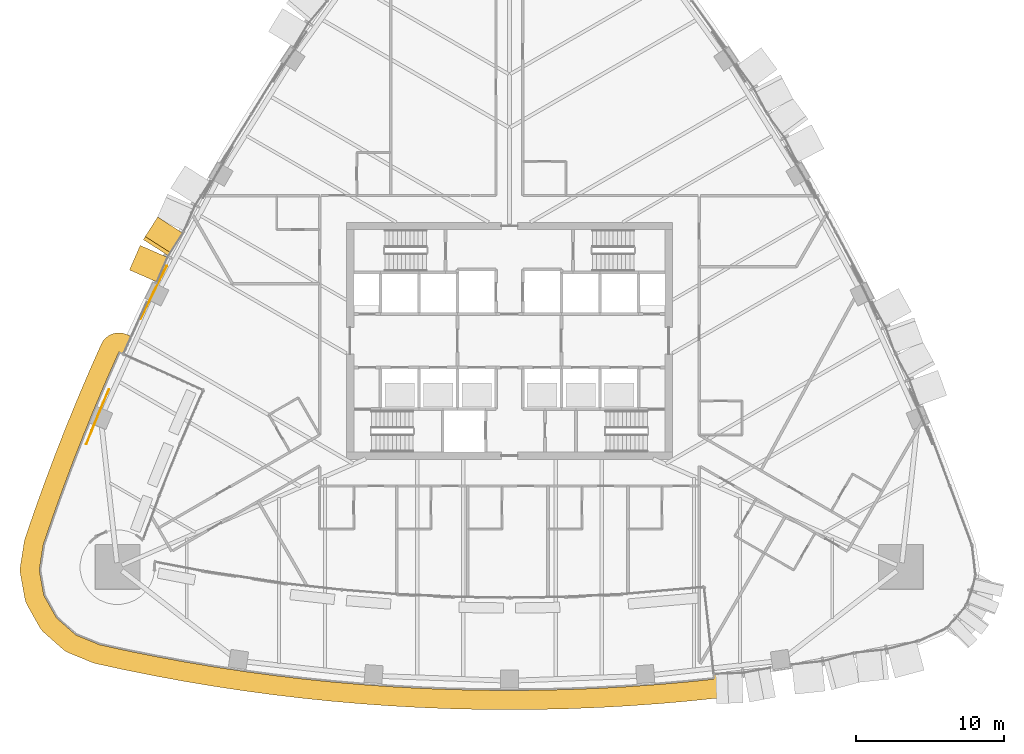
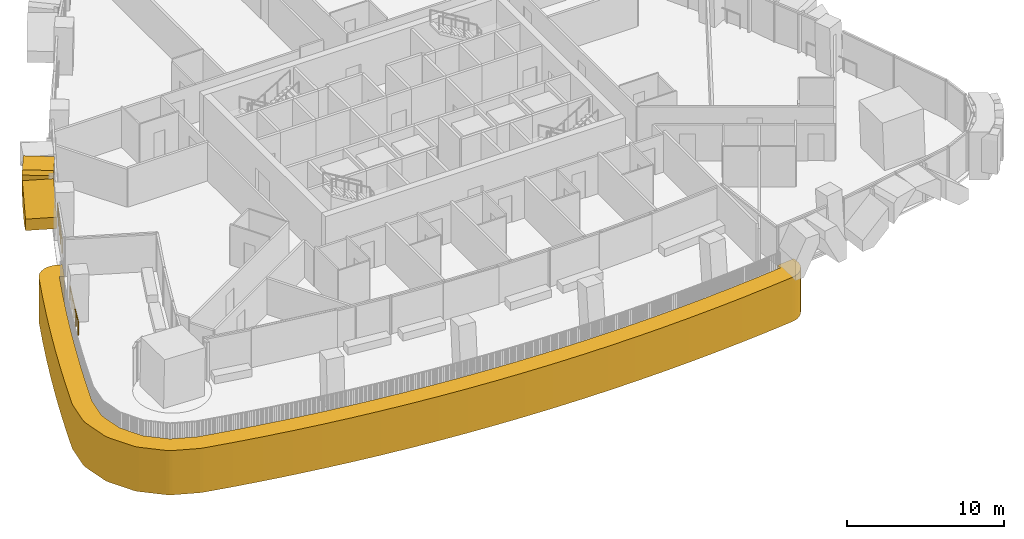
# One storey, part 18 of 22: 3 coverings, 2 railings.
"""IFC4 building model written with IfcOpenShell, lengths in metres."""

import ifcopenshell
import ifcopenshell.guid

model = None  # the IFC model being written
_history = None  # IfcOwnerHistory: only IFC2X3 demands one
_inside = {}  # id of a spatial element -> (the spatial element, [elements in it])
_under = {}  # id of a project, library or spatial element -> (it, [spatial elements below it])
_declared = {}  # id of a project -> (the project, [libraries it declares])
_typed = {}  # id of a type object -> (the type object, [elements of that type])
_made_of = {}  # id of a material, layer set ... -> (it, [elements and type objects made of it])


def new_model(schema):
    """Start an empty IFC model of exactly this schema.

    Asked for "IFC4X3", IfcOpenShell would pick the latest addendum, in which some entities
    have other attributes; the version numbers below select the first issue.
    IFC2X3 requires an IfcOwnerHistory on every rooted entity: one is made here for all.
    """
    global model, _history
    if schema == "IFC4X3":
        model = ifcopenshell.file(schema_version=(4, 3, 0, 0))
    else:
        model = ifcopenshell.file(schema=schema)
    _inside.clear()
    _under.clear()
    _declared.clear()
    _typed.clear()
    _made_of.clear()
    _history = None
    if model.schema == "IFC2X3":
        org = make("IfcOrganization", Name="unknown")
        user = make(
            "IfcPersonAndOrganization",
            ThePerson=make("IfcPerson", FamilyName="unknown"),
            TheOrganization=org,
        )
        app = make(
            "IfcApplication",
            ApplicationDeveloper=org,
            Version="unknown",
            ApplicationFullName="unknown",
            ApplicationIdentifier="unknown",
        )
        _history = make(
            "IfcOwnerHistory",
            OwningUser=user,
            OwningApplication=app,
            ChangeAction="ADDED",
            CreationDate=0,
        )
    return model


def make(cls, **values):
    """One entity of the class cls with the attributes given. An attribute that is None is left unset."""
    return model.create_entity(
        cls, **{name: value for name, value in values.items() if value is not None}
    )


def rooted(cls, **values):
    """An entity with a GlobalId (a new one), such as an element, a storey or a relation."""
    return make(cls, GlobalId=ifcopenshell.guid.new(), OwnerHistory=_history, **values)


def si_unit(unit_type, name, prefix=None):
    """IfcSIUnit, for example si_unit("LENGTHUNIT", "METRE", prefix="MILLI")."""
    return make("IfcSIUnit", UnitType=unit_type, Prefix=prefix, Name=name)


def assignment(units):
    """IfcUnitAssignment: the units of a project."""
    return None if units is None else make("IfcUnitAssignment", Units=units)


def point(xyz):
    """IfcCartesianPoint."""
    return None if xyz is None else make("IfcCartesianPoint", Coordinates=xyz)


def direction(xyz):
    """IfcDirection."""
    return None if xyz is None else make("IfcDirection", DirectionRatios=xyz)


def frame(location, z_axis=None, x_axis=None):
    """IfcAxis2Placement3D, a coordinate frame: its origin and axes. An axis left out is left unset."""
    return make(
        "IfcAxis2Placement3D",
        Location=point(location),
        Axis=direction(z_axis),
        RefDirection=direction(x_axis),
    )


def frame_2d(location, x_axis=None):
    """IfcAxis2Placement2D, a coordinate frame in the plane: its origin and x axis."""
    return make(
        "IfcAxis2Placement2D", Location=point(location), RefDirection=direction(x_axis)
    )


def origin():
    """The frame at (0, 0, 0) with its axes left unset."""
    return frame((0.0, 0.0, 0.0))


def origin_2d():
    """The frame at (0, 0) in the plane with its x axis left unset."""
    return frame_2d((0.0, 0.0))


def place(relative_to, where):
    """IfcLocalPlacement: puts the frame where relative to a parent placement (None: the world)."""
    return make(
        "IfcLocalPlacement", PlacementRelTo=relative_to, RelativePlacement=where
    )


def context(
    kind, dimensions, precision=None, world=None, true_north=None, identifier=None
):
    """IfcGeometricRepresentationContext, for example the 3D "Model" context."""
    return make(
        "IfcGeometricRepresentationContext",
        ContextIdentifier=identifier,
        ContextType=kind,
        CoordinateSpaceDimension=dimensions,
        Precision=precision,
        WorldCoordinateSystem=world,
        TrueNorth=true_north,
    )


def subcontext(parent, identifier, kind, view, scale=None):
    """IfcGeometricRepresentationSubContext, for example "Body" below "Model"."""
    return make(
        "IfcGeometricRepresentationSubContext",
        ContextIdentifier=identifier,
        ContextType=kind,
        ParentContext=parent,
        TargetScale=scale,
        TargetView=view,
    )


def project(units=None, contexts=None):
    """IfcProject with its units and contexts."""
    return rooted(
        "IfcProject",
        Name="project",
        RepresentationContexts=contexts,
        UnitsInContext=assignment(units),
    )


def spatial(cls, under=None, at=None, **own):
    """A site, building, storey or space (cls), placed at a placement, below another one or the project."""
    s = rooted(cls, ObjectPlacement=at, **own)
    if under is not None:
        _under.setdefault(under.id(), (under, []))[1].append(s)
    return s


def polyline(points):
    """IfcPolyline through the points."""
    return make("IfcPolyline", Points=[point(p) for p in points])


def profile(cls, at=None, kind="AREA", **sizes):
    """A parametric profile (cls). Its sizes go by their IFC names, for example OverallWidth=200.0."""
    return make(cls, ProfileType=kind, Position=at, **sizes)


def circle(**sizes):
    """IfcCircleProfileDef."""
    return profile("IfcCircleProfileDef", **sizes)


def outline(outer, holes=None, kind="AREA"):
    """IfcArbitraryClosedProfileDef: a profile drawn as a closed curve; with holes, ...WithVoids."""
    if holes is None:
        return make("IfcArbitraryClosedProfileDef", ProfileType=kind, OuterCurve=outer)
    return make(
        "IfcArbitraryProfileDefWithVoids",
        ProfileType=kind,
        OuterCurve=outer,
        InnerCurves=holes,
    )


def extrude(swept, where, along, depth):
    """IfcExtrudedAreaSolid: the profile swept, set in the frame where, extruded along a direction by depth."""
    return make(
        "IfcExtrudedAreaSolid",
        SweptArea=swept,
        Position=where,
        ExtrudedDirection=direction(along),
        Depth=depth,
    )


def shape(context_of_items, identifier, shape_type, items):
    """IfcShapeRepresentation: the items that make up one representation, for example the "Body"."""
    return make(
        "IfcShapeRepresentation",
        ContextOfItems=context_of_items,
        RepresentationIdentifier=identifier,
        RepresentationType=shape_type,
        Items=items,
    )


def material(Name=None, Category=None):
    """IfcMaterial."""
    return make("IfcMaterial", Name=Name, Category=Category)


def layer(
    of_material, thickness, ventilated=None, Name=None, Category=None, Priority=None
):
    """IfcMaterialLayer: one layer of a wall or slab, of a material (None: an air gap)."""
    return make(
        "IfcMaterialLayer",
        Material=of_material,
        LayerThickness=thickness,
        IsVentilated=ventilated,
        Name=Name,
        Category=Category,
        Priority=Priority,
    )


def layer_set(layers, Name=None):
    """IfcMaterialLayerSet."""
    return make("IfcMaterialLayerSet", MaterialLayers=layers, LayerSetName=Name)


def made_of(thing, what):
    """Note that an element or type object is made of a material, layer set ...; save() writes the relation."""
    if what is not None:
        _made_of.setdefault(what.id(), (what, []))[1].append(thing)
    return thing


def type_object(cls, material=None, **own):
    """A type object (cls), such as IfcWallType, which elements share."""
    return made_of(rooted(cls, **own), material)


def element(
    cls,
    number,
    at=None,
    inside=None,
    cuts=None,
    type_object=None,
    material=None,
    context=None,
    identifier="Body",
    shape_type=None,
    held_by="IfcProductDefinitionShape",
    body=None,
    shapes=None,
    **own,
):
    """One element of the class cls, such as IfcWall. Its Tag is "e" and its number.

    at: its placement. inside: the storey or other place that contains it. cuts: it is an
    opening in that element (IfcRelVoidsElement). A single representation is given by context,
    identifier, shape_type and body (its items); several are given by shapes. held_by: the class
    of the entity that holds the representations. save() writes the other relations.
    """
    e = rooted(cls, Tag="e%d" % number, ObjectPlacement=at, **own)
    if body is not None:
        shapes = [shape(context, identifier, shape_type, body)]
    if shapes is not None:
        e.Representation = make(held_by, Representations=shapes)
    if inside is not None:
        _inside.setdefault(inside.id(), (inside, []))[1].append(e)
    if cuts is not None:
        rooted(
            "IfcRelVoidsElement", RelatingBuildingElement=cuts, RelatedOpeningElement=e
        )
    if type_object is not None:
        _typed.setdefault(type_object.id(), (type_object, []))[1].append(e)
    return made_of(e, material)


def aggregate(whole, parts):
    """IfcRelAggregates: a whole, such as a stair, and the parts it consists of."""
    return rooted("IfcRelAggregates", RelatingObject=whole, RelatedObjects=parts)


def save(model, path):
    """Write the relations noted so far, then the file.

    IfcRelAggregates (storeys below a building ...), IfcRelContainedInSpatialStructure (elements
    in a storey), IfcRelDefinesByType, IfcRelAssociatesMaterial and IfcRelDeclares: one each for
    every whole, place, type object, material and project.
    """
    for whole, parts in _under.values():
        aggregate(whole, parts)
    for where, things in _inside.values():
        rooted(
            "IfcRelContainedInSpatialStructure",
            RelatedElements=things,
            RelatingStructure=where,
        )
    for kind, things in _typed.values():
        rooted("IfcRelDefinesByType", RelatedObjects=things, RelatingType=kind)
    for what, things in _made_of.values():
        rooted("IfcRelAssociatesMaterial", RelatedObjects=things, RelatingMaterial=what)
    for by, libraries in _declared.values():
        rooted("IfcRelDeclares", RelatingContext=by, RelatedDefinitions=libraries)
    model.write(path)


model = new_model("IFC4")

# Units and contexts
model_context = context("Model", 3, precision=1e-05, world=origin(), true_north=direction((0.0, 1.0)))
body_context = subcontext(model_context, "Body", "Model", "MODEL_VIEW")
ifc_project = project(units=[si_unit("LENGTHUNIT", "METRE"), si_unit("AREAUNIT", "SQUARE_METRE"), si_unit("VOLUMEUNIT", "CUBIC_METRE"), si_unit("PLANEANGLEUNIT", "RADIAN"), si_unit("MASSUNIT", "GRAM", prefix="KILO")], contexts=[model_context])

# Site, building, storey
site_placement = place(None, origin())
site = spatial("IfcSite", under=ifc_project, at=site_placement, CompositionType="ELEMENT")
building_placement = place(site_placement, origin())
building = spatial("IfcBuilding", under=site, at=building_placement, Name="Sierra Prisma Convention Tower", CompositionType="ELEMENT")
storey_placement = place(building_placement, frame((0.0, 0.0, 73.89990234375)))
storey = spatial("IfcBuildingStorey", under=building, at=storey_placement, Name="L14", CompositionType="ELEMENT", Elevation=73.89990234375)

# Coverings
ifc_material_1 = material(Name="Aluminium 6063-T6 bronze anodised", Category="aluminium")
ifc_layer_1 = layer(ifc_material_1, 2.0)
ifc_layer_set_1 = layer_set([ifc_layer_1], Name="Bronze crystal chevron frame")
covering_type_1 = type_object("IfcCoveringType", Name="Bronze crystal chevron frame", PredefinedType="CLADDING", material=ifc_layer_set_1)
covering_1_placement = place(storey_placement, frame((-23.734130859375, 8.351806640625, 2.97998046875), z_axis=(-0.842798220605, 0.538229652973, -2.188921e-06), x_axis=(1.844819e-06, -1.178142e-06, -0.999999999998)))
element("IfcCovering", 1, at=covering_1_placement, inside=storey, type_object=covering_type_1, Name="CW-2 chevron frame NW4.2.1", PredefinedType="CLADDING", context=body_context, shape_type="SweptSolid", body=[
    extrude(outline(polyline([(0.0, 0.0), (0.1679687499995976, 0.0), (1.8981933593715883, 1.8075942538313896), (0.23706054687556793, 1.8075942538313896), (-8.763915025682351e-12, 1.5599219224975573), (0.0, 0.0)])), origin(), (0.0, 0.0, -1.0), 2.0),
])
covering_2_placement = place(storey_placement, frame((-25.638427734375, 4.7802734375, 0.0), z_axis=(-0.916596519081, 0.39981348302, -2.193138e-06), x_axis=(-2.010222e-06, 8.76846e-07, 0.999999999998)))
element("IfcCovering", 2, at=covering_2_placement, inside=storey, type_object=covering_type_1, Name="CW-2 chevron frame NW4.2.2", PredefinedType="CLADDING", context=body_context, shape_type="SweptSolid", body=[
    extrude(outline(polyline([(0.0, 0.0), (0.888183593747864, -1.8808019177924467e-22), (2.6184082031233076, 1.807488253964285), (0.9572753906273022, 1.807488253964285), (-1.2261838103004e-11, 0.8078590040075118), (0.0, 0.0)])), origin(), (0.0, 0.0, -1.0), 2.0),
])

# Railings
ifc_material_2 = material(Name="Bronze anodised aluminium", Category="aluminium")
railing_type = type_object("IfcRailingType", Name="Facade guard 1100", PredefinedType="GUARDRAIL", material=ifc_material_2)
railing_1_placement = place(storey_placement, frame((-23.1220703125, 5.0400390625, 0.0)))
element("IfcRailing", 3, at=railing_1_placement, inside=storey, type_object=railing_type, Name="Facade guard", PredefinedType="GUARDRAIL", context=body_context, shape_type="SweptSolid", body=[
    extrude(circle(Radius=0.02392578125, at=origin_2d()), frame((0.0, 0.0, 1.076171875), z_axis=(-0.452998665178, -0.891511194179, 0.0), x_axis=(0.891511194179, -0.452998665178, 0.0)), (0.0, 0.0, 1.0), 0.994384765625),
    extrude(circle(Radius=0.02392578125, at=origin_2d()), frame((-0.450439453125, -0.886474609375, 1.076171875), z_axis=(-0.443107403506, -0.896468532051, 0.0), x_axis=(0.896468532051, -0.443107403506, 0.0)), (0.0, 0.0, 1.0), 1.0),
    extrude(circle(Radius=0.02392578125, at=origin_2d()), frame((-0.8935546875, -1.782958984375, 1.076171875), z_axis=(-0.440029108407, -0.897983509734, 0.0), x_axis=(0.897983509734, -0.440029108407, 0.0)), (0.0, 0.0, 1.0), 0.994140625),
    extrude(circle(Radius=0.02392578125, at=origin_2d()), frame((-1.3310546875, -2.67578125, 1.076171875), z_axis=(-0.430435803215, -0.902621193697, 0.0), x_axis=(0.902621193697, -0.430435803215, 0.0)), (0.0, 0.0, 1.0), 1.0),
    extrude(circle(Radius=0.02099609375, at=origin_2d()), origin(), (0.0, 0.0, 1.0), 1.052001953125),
    extrude(circle(Radius=0.02099609375, at=origin_2d()), frame((-0.450439453125, -0.886474609375, 0.0)), (0.0, 0.0, 1.0), 1.052001953125),
    extrude(circle(Radius=0.02099609375, at=origin_2d()), frame((-0.8935546875, -1.782958984375, 0.0)), (0.0, 0.0, 1.0), 1.052001953125),
    extrude(circle(Radius=0.02099609375, at=origin_2d()), frame((-1.3310546875, -2.67578125, 0.0)), (0.0, 0.0, 1.0), 1.052001953125),
    extrude(circle(Radius=0.02099609375, at=origin_2d()), frame((-1.761474609375, -3.578369140625, 0.0)), (0.0, 0.0, 1.0), 1.052001953125),
])
railing_2_placement = place(storey_placement, frame((-27.027587890625, -3.282958984375, 0.0)))
element("IfcRailing", 4, at=railing_2_placement, inside=storey, type_object=railing_type, Name="Facade guard", PredefinedType="GUARDRAIL", context=body_context, shape_type="SweptSolid", body=[
    extrude(circle(Radius=0.02392578125, at=origin_2d()), frame((0.0, 0.0, 1.076171875), z_axis=(-0.391383620412, -0.920227614057, 0.0), x_axis=(0.920227614057, -0.391383620412, 0.0)), (0.0, 0.0, 1.0), 1.0),
    extrude(circle(Radius=0.02392578125, at=origin_2d()), frame((-0.391357421875, -0.920166015625, 1.076171875), z_axis=(-0.384266664433, -0.923222145859, 0.0), x_axis=(0.923222145859, -0.384266664433, 0.0)), (0.0, 0.0, 1.0), 0.994384765625),
    extrude(circle(Radius=0.02392578125, at=origin_2d()), frame((-0.7734375, -1.838134765625, 1.076171875), z_axis=(-0.37836668804, -0.925655794225, 0.0), x_axis=(0.925655794225, -0.37836668804, 0.0)), (0.0, 0.0, 1.0), 1.000244140625),
    extrude(circle(Radius=0.02392578125, at=origin_2d()), frame((-1.15185546875, -2.763916015625, 1.076171875), z_axis=(-0.370797866018, -0.928713595549, 0.0), x_axis=(0.928713595549, -0.370797866018, 0.0)), (0.0, 0.0, 1.0), 0.994140625),
    extrude(circle(Radius=0.02099609375, at=origin_2d()), origin(), (0.0, 0.0, 1.0), 1.052001953125),
    extrude(circle(Radius=0.02099609375, at=origin_2d()), frame((-0.391357421875, -0.920166015625, 0.0)), (0.0, 0.0, 1.0), 1.052001953125),
    extrude(circle(Radius=0.02099609375, at=origin_2d()), frame((-0.7734375, -1.838134765625, 0.0)), (0.0, 0.0, 1.0), 1.052001953125),
    extrude(circle(Radius=0.02099609375, at=origin_2d()), frame((-1.15185546875, -2.763916015625, 0.0)), (0.0, 0.0, 1.0), 1.052001953125),
    extrude(circle(Radius=0.02099609375, at=origin_2d()), frame((-1.5205078125, -3.687255859375, 0.0)), (0.0, 0.0, 1.0), 1.052001953125),
])

# Covering
ifc_material_3 = material(Name="Aluminium composite bronze anodised", Category="aluminium")
ifc_layer_2 = layer(ifc_material_3, 1.300048828125)
ifc_layer_set_2 = layer_set([ifc_layer_2], Name="Terrace fascia")
covering_type_2 = type_object("IfcCoveringType", Name="Terrace fascia", PredefinedType="CLADDING", material=ifc_layer_set_2)
covering_3_placement = place(storey_placement, frame((0.0, 0.0, -3.39990234375)))
element("IfcCovering", 5, at=covering_3_placement, inside=storey, type_object=covering_type_2, Name="Terrace fascia L14.1", PredefinedType="CLADDING", context=body_context, shape_type="SweptSolid", body=[
    extrude(outline(polyline([(15.109619140625, -22.6796875), (15.1123046875, -22.935546875), (15.065185546875, -23.187255859375), (14.969482421875, -23.424560546875), (14.8291015625, -23.638671875), (14.6494140625, -23.821044921875), (14.437744140625, -23.964599609375), (14.201904296875, -24.064208984375), (13.951171875, -24.115234375), (12.0615234375, -24.310791015625), (12.041015625, -24.312744140625), (10.0576171875, -24.486083984375), (10.037109375, -24.487548828125), (8.05126953125, -24.62939453125), (8.03076171875, -24.630859375), (6.042724609375, -24.7412109375), (6.022216796875, -24.7421875), (4.03271484375, -24.821044921875), (4.01220703125, -24.82177734375), (2.021728515625, -24.869140625), (2.001220703125, -24.869384765625), (0.01025390625, -24.88525390625), (-0.01025390625, -24.88525390625), (-2.001220703125, -24.869384765625), (-2.021728515625, -24.869140625), (-4.01220703125, -24.82177734375), (-4.03271484375, -24.821044921875), (-6.022216796875, -24.7421875), (-6.042724609375, -24.7412109375), (-8.03076171875, -24.630859375), (-8.05126953125, -24.62939453125), (-10.037109375, -24.487548828125), (-10.0576171875, -24.486083984375), (-12.041015625, -24.312744140625), (-12.0615234375, -24.310791015625), (-14.0419921875, -24.10595703125), (-14.0625, -24.103759765625), (-16.039306640625, -23.867431640625), (-16.059814453125, -23.864990234375), (-18.03271484375, -23.597412109375), (-18.052978515625, -23.594482421875), (-20.021484375, -23.2958984375), (-20.0419921875, -23.292724609375), (-22.00537109375, -22.962890625), (-22.025634765625, -22.959228515625), (-23.983642578125, -22.598388671875), (-24.00390625, -22.594482421875), (-25.955810546875, -22.20263671875), (-25.97607421875, -22.198486328125), (-27.921630859375, -21.775634765625), (-28.138916015625, -21.7080078125), (-29.749755859375, -21.04736328125), (-29.943115234375, -20.948486328125), (-30.117431640625, -20.818603515625), (-31.422119140625, -19.665771484375), (-31.572265625, -19.5087890625), (-31.694091796875, -19.3291015625), (-32.5478515625, -17.8115234375), (-32.63818359375, -17.614013671875), (-32.6943359375, -17.404052734375), (-33.002685546875, -15.6904296875), (-33.02294921875, -15.47412109375), (-33.007080078125, -15.257568359375), (-32.735595703125, -13.53759765625), (-32.680908203125, -13.318115234375), (-32.036865234375, -11.4443359375), (-32.03076171875, -11.427001953125), (-31.360107421875, -9.562744140625), (-31.353759765625, -9.54541015625), (-30.65673828125, -7.69091796875), (-30.650146484375, -7.673583984375), (-29.9267578125, -5.829345703125), (-29.919921875, -5.81201171875), (-29.17041015625, -3.978271484375), (-29.163330078125, -3.961181640625), (-28.387939453125, -2.13818359375), (-28.380615234375, -2.12109375), (-27.579345703125, -0.30908203125), (-27.57177734375, -0.29248046875), (-27.53564453125, -0.214111328125), (-27.40771484375, 0.005126953125), (-27.23974609375, 0.1953125), (-27.037841796875, 0.34912109375), (-26.81005859375, 0.460693359375), (-26.56494140625, 0.526123046875), (-26.3115234375, 0.54248046875), (-26.06005859375, 0.509521484375), (-25.819580078125, 0.42822265625), (-25.5146484375, 0.29052734375), (-26.057373046875, -0.890869140625), (-26.3544921875, -0.756591796875), (-26.390380859375, -0.835205078125), (-27.191650390625, -2.64697265625), (-27.967041015625, -4.469970703125), (-28.716552734375, -6.303955078125), (-29.43994140625, -8.148193359375), (-30.136962890625, -10.002685546875), (-30.807373046875, -11.866943359375), (-31.451416015625, -13.740478515625), (-31.72314453125, -15.46044921875), (-31.414794921875, -17.174072265625), (-30.561279296875, -18.69140625), (-29.256591796875, -19.844482421875), (-27.6455078125, -20.505126953125), (-25.699951171875, -20.927978515625), (-23.748046875, -21.31982421875), (-21.7900390625, -21.680908203125), (-19.826416015625, -22.010498046875), (-17.858154296875, -22.309326171875), (-15.88525390625, -22.57666015625), (-13.908203125, -22.812744140625), (-11.927978515625, -23.017578125), (-9.944580078125, -23.19091796875), (-7.95849609375, -23.332763671875), (-5.970703125, -23.443115234375), (-3.981201171875, -23.522216796875), (-1.990966796875, -23.5693359375), (0.0, -23.585205078125), (1.990966796875, -23.5693359375), (3.981201171875, -23.522216796875), (5.970703125, -23.443115234375), (7.95849609375, -23.332763671875), (9.944580078125, -23.19091796875), (11.927978515625, -23.017578125), (13.8173828125, -22.822265625), (13.781005859375, -22.492431640625), (15.07421875, -22.358642578125), (15.109619140625, -22.6796875)])), origin(), (0.0, 0.0, 1.0), 3.43994140625),
])

save(model, "model.ifc")
